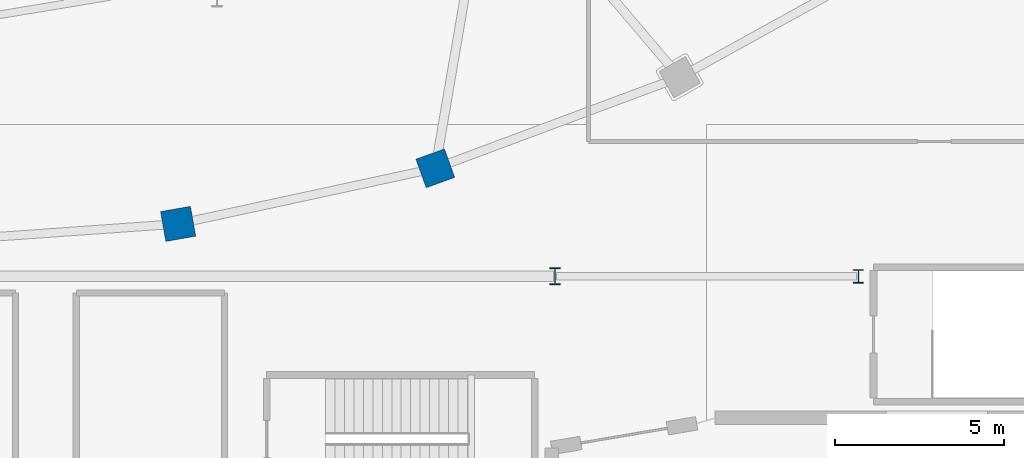
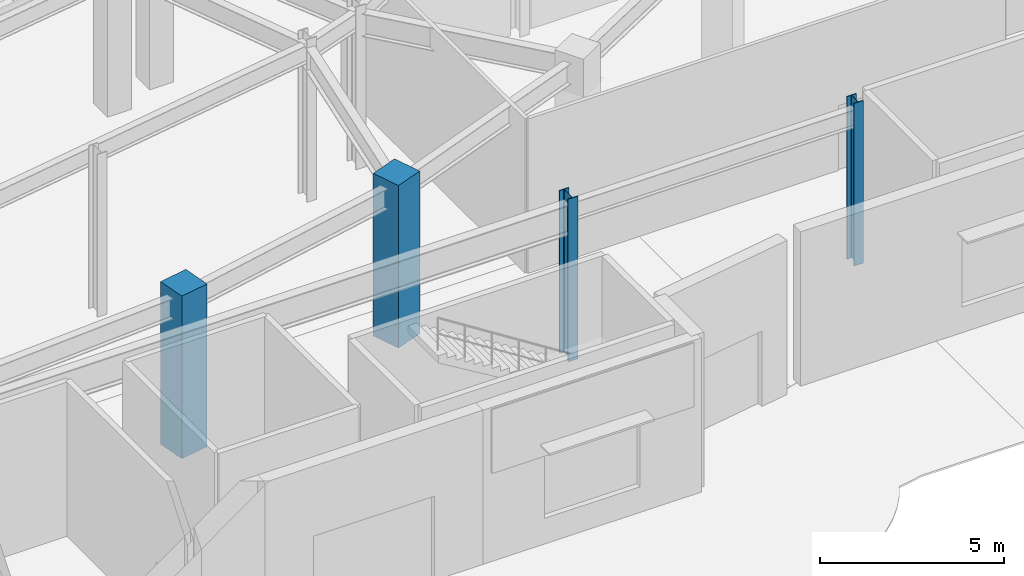
# One storey, part 6 of 79: 4 columns.
"""IFC4 building model written with IfcOpenShell, lengths in metres."""

from ifc_helpers import new_model, si_unit, direction, frame, origin, origin_2d, place, context, subcontext, project, spatial, rectangle, i_section, extrude, material, material_profile, profile_set, type_object, element, save


model = new_model("IFC4")

# Units and contexts
model_context = context("Model", 3, precision=1e-05, world=origin(), true_north=direction((0.0, 1.0)))
body_context = subcontext(model_context, "Body", "Model", "MODEL_VIEW")
ifc_project = project(units=[si_unit("LENGTHUNIT", "METRE"), si_unit("AREAUNIT", "SQUARE_METRE"), si_unit("VOLUMEUNIT", "CUBIC_METRE"), si_unit("PLANEANGLEUNIT", "RADIAN"), si_unit("MASSUNIT", "GRAM", prefix="KILO")], contexts=[model_context])

# Site, building, storey
site_placement = place(None, origin())
site = spatial("IfcSite", under=ifc_project, at=site_placement, CompositionType="ELEMENT")
building_placement = place(site_placement, origin())
building = spatial("IfcBuilding", under=site, at=building_placement, Name="Glasvene Arena", CompositionType="ELEMENT")
storey_placement = place(building_placement, origin())
storey = spatial("IfcBuildingStorey", under=building, at=storey_placement, Name="L00", CompositionType="ELEMENT", Elevation=0.0)

# Columns
ifc_material_1 = material(Name="Concrete C40/50", Category="concrete")
ifc_material_profile_1 = material_profile(ifc_material_1, rectangle(XDim=0.89990234375, YDim=0.89990234375, at=origin_2d()), Name="RC 900x900")
ifc_profile_set_1 = profile_set([ifc_material_profile_1], Name="Concrete C40/50")
column_type_1 = type_object("IfcColumnType", Name="COL-BOWL-RC900", PredefinedType="COLUMN", material=ifc_profile_set_1)
for number, where, z_axis, x_axis, name in (
    (1, (99.82177734375, 28.553955078125, 0.0), (0.0, 0.0, 1.0), (0.173304404339, -0.984868307662, 0.0), "Bowl ring column R32 L00"),
    (2, (107.45068359375, 30.202392578125, 0.0), (0.0, 0.0, 1.0), (0.339558864524, -0.94058480613, 0.0), "Bowl ring column R33 L00"),
):
    element("IfcColumn", number, at=place(storey_placement, frame(where, z_axis=z_axis, x_axis=x_axis)), inside=storey, type_object=column_type_1, Name=name, PredefinedType="COLUMN", context=body_context, shape_type="SweptSolid", body=[
        extrude(rectangle(XDim=0.89990234375, YDim=0.89990234375, at=origin_2d()), origin(), (0.0, 0.0, 1.0), 5.39990234375),
    ])
ifc_material_2 = material(Name="Steel S355J2", Category="steel")
ifc_material_profile_2 = material_profile(ifc_material_2, i_section(OverallWidth=0.300048828125, OverallDepth=0.39990234375, WebThickness=0.013427734375, FlangeThickness=0.02392578125, FilletRadius=0.027099609375, at=origin_2d()), Name="HEB 400")
ifc_profile_set_2 = profile_set([ifc_material_profile_2], Name="Steel S355J2")
column_type_2 = type_object("IfcColumnType", Name="COL-W-HEB400", PredefinedType="COLUMN", material=ifc_profile_set_2)
column_1_placement = place(storey_placement, frame((120.0, 27.0, 0.0), z_axis=(0.0, 0.0, 1.0), x_axis=(1.0, 0.0, 0.0)))
element("IfcColumn", 3, at=column_1_placement, inside=storey, type_object=column_type_2, Name="Grid column 14-4 L00", PredefinedType="COLUMN", context=body_context, shape_type="SweptSolid", body=[
    extrude(i_section(OverallWidth=0.300048828125, OverallDepth=0.39990234375, WebThickness=0.013427734375, FlangeThickness=0.02392578125, FilletRadius=0.027099609375, at=origin_2d()), origin(), (0.0, 0.0, 1.0), 5.39990234375),
])
ifc_material_profile_3 = material_profile(ifc_material_2, i_section(OverallWidth=0.300048828125, OverallDepth=0.5, WebThickness=0.014404296875, FlangeThickness=0.028076171875, FilletRadius=0.027099609375, at=origin_2d()), Name="HEB 500")
ifc_profile_set_3 = profile_set([ifc_material_profile_3], Name="Steel S355J2")
column_type_3 = type_object("IfcColumnType", Name="COL-W-HEB500", PredefinedType="COLUMN", material=ifc_profile_set_3)
column_2_placement = place(storey_placement, frame((111.0, 27.0, 0.0), z_axis=(0.0, 0.0, 1.0), x_axis=(1.0, 0.0, 0.0)))
element("IfcColumn", 4, at=column_2_placement, inside=storey, type_object=column_type_3, Name="Grid column 13-4 L00", PredefinedType="COLUMN", context=body_context, shape_type="SweptSolid", body=[
    extrude(i_section(OverallWidth=0.300048828125, OverallDepth=0.5, WebThickness=0.014404296875, FlangeThickness=0.028076171875, FilletRadius=0.027099609375, at=origin_2d()), origin(), (0.0, 0.0, 1.0), 5.39990234375),
])

save(model, "model.ifc")
